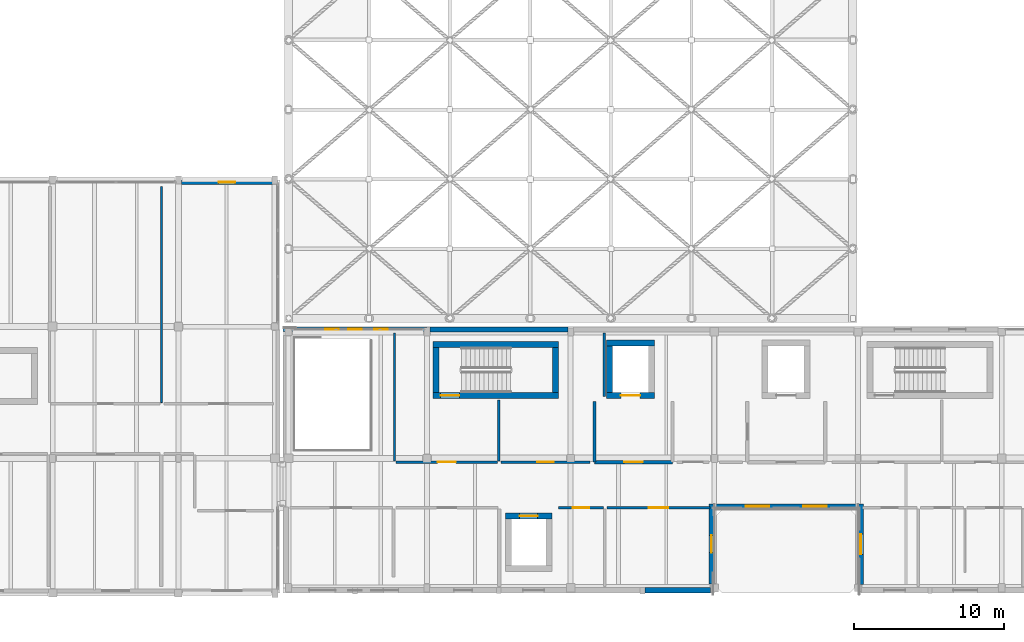
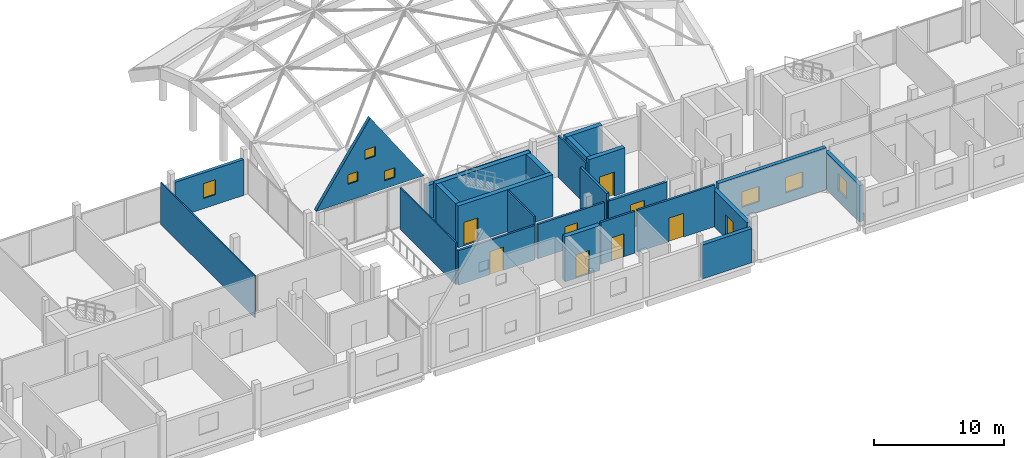
# One storey, part 25 of 41: 25 walls, 9 doors, 7 windows, 16 openings.
"""IFC4 building model written with IfcOpenShell, lengths in metres."""

from ifc_helpers import new_model, si_unit, direction, frame, frame_2d, origin, place, context, subcontext, project, spatial, polyline, rectangle, outline, extrude, material, layer, layer_set, type_object, element, fill, save


model = new_model("IFC4")

# Units and contexts
model_context = context("Model", 3, precision=1e-05, world=origin(), true_north=direction((0.0, 1.0)))
body_context = subcontext(model_context, "Body", "Model", "MODEL_VIEW")
ifc_project = project(units=[si_unit("LENGTHUNIT", "METRE"), si_unit("AREAUNIT", "SQUARE_METRE"), si_unit("VOLUMEUNIT", "CUBIC_METRE"), si_unit("PLANEANGLEUNIT", "RADIAN"), si_unit("MASSUNIT", "GRAM", prefix="KILO")], contexts=[model_context])

# Site, building, storey
site_placement = place(None, origin())
site = spatial("IfcSite", under=ifc_project, at=site_placement, CompositionType="ELEMENT")
building_placement = place(site_placement, origin())
building = spatial("IfcBuilding", under=site, at=building_placement, Name="Birchvale Park Specialist Clinic", CompositionType="ELEMENT")
storey_placement = place(building_placement, frame((0.0, 0.0, 9.60009765625)))
storey = spatial("IfcBuildingStorey", under=building, at=storey_placement, Name="L02", CompositionType="ELEMENT", Elevation=9.60009765625)

# Wall, opening, door
ifc_material_1 = material(Name="Concrete C40/50", Category="concrete")
ifc_layer_1 = layer(ifc_material_1, 0.39990234375)
ifc_layer_set_1 = layer_set([ifc_layer_1], Name="Concrete C40/50")
wall_type_1 = type_object("IfcWallType", Name="WL-CW-120", PredefinedType="SHEAR", material=ifc_layer_set_1)
wall_1_placement = place(storey_placement, frame((61.800048828125, 30.0, 0.0), z_axis=(0.0, 0.0, 1.0), x_axis=(1.0, 0.0, 0.0)))
wall_1 = element("IfcWall", 1, at=wall_1_placement, inside=storey, type_object=wall_type_1, Name="L02 stair ST4 EI 120 enclosure wall (south)", PredefinedType="SHEAR", context=body_context, shape_type="SweptSolid", body=[
    extrude(rectangle(XDim=8.39990234375, YDim=0.39990234375, at=frame_2d((4.199951171875, 0.0))), origin(), (0.0, 0.0, 1.0), 3.919921875),
])
opening_1_placement = place(wall_1_placement, frame((0.52001953125, 0.0, 0.0)))
opening_1 = element("IfcOpeningElement", 2, at=opening_1_placement, cuts=wall_1, Name="Opening ID-FD60", PredefinedType="OPENING", context=body_context, shape_type="SweptSolid", body=[
    extrude(rectangle(XDim=1.25, YDim=2.199951171875, at=frame_2d((0.625, 1.10009765625))), frame((0.0, 0.2099609375, 0.0), z_axis=(0.0, -1.0, 0.0), x_axis=(1.0, 0.0, 0.0)), (0.0, 0.0, 1.0), 0.419921875),
])
ifc_material_2 = material(Name="Solid-core birch veneer and anodised aluminium", Category="aluminium")
door_type_1 = type_object("IfcDoorType", Name="DR-ID-FD60", OperationType="NOTDEFINED", PredefinedType="DOOR", material=ifc_material_2)
door_1_placement = place(opening_1_placement, origin())
door_1 = element("IfcDoor", 3, at=door_1_placement, inside=storey, type_object=door_type_1, Name="L02 stair ST4 fire door", OperationType="SINGLE_SWING_LEFT", OverallHeight=2.199951171875, OverallWidth=1.25, PredefinedType="DOOR", context=body_context, shape_type="SweptSolid", body=[
    extrude(rectangle(XDim=1.25, YDim=2.199951171875, at=frame_2d((0.625, 1.10009765625))), frame((0.0, 0.02490234375, 0.0), z_axis=(0.0, -1.0, 0.0), x_axis=(1.0, 0.0, 0.0)), (0.0, 0.0, 1.0), 0.050048828125),
])
fill(opening_1, door_1)

# Walls
wall_2_placement = place(storey_placement, frame((70.199951171875, 33.39990234375, 0.0), z_axis=(0.0, 0.0, 1.0), x_axis=(-1.0, 0.0, 0.0)))
element("IfcWall", 4, at=wall_2_placement, inside=storey, type_object=wall_type_1, Name="L02 stair ST4 EI 120 enclosure wall (north)", PredefinedType="SHEAR", context=body_context, shape_type="SweptSolid", body=[
    extrude(rectangle(XDim=8.39990234375, YDim=0.39990234375, at=frame_2d((4.199951171875, 0.0))), origin(), (0.0, 0.0, 1.0), 3.919921875),
])
for number, where, z_axis, x_axis, name in (
    (5, (62.0, 30.199951171875, 0.0), (0.0, 0.0, 1.0), (0.0, 1.0, 0.0), "L02 stair ST4 EI 120 enclosure wall (west)"),
    (6, (70.0, 33.199951171875, 0.0), (0.0, 0.0, 1.0), (0.0, -1.0, 0.0), "L02 stair ST4 EI 120 enclosure wall (east)"),
):
    element("IfcWall", number, at=place(storey_placement, frame(where, z_axis=z_axis, x_axis=x_axis)), inside=storey, type_object=wall_type_1, Name=name, PredefinedType="SHEAR", context=body_context, shape_type="SweptSolid", body=[
        extrude(rectangle(XDim=3.0, YDim=0.39990234375, at=frame_2d((1.5, 0.0))), origin(), (0.0, 0.0, 1.0), 3.919921875),
    ])

# Wall, opening, door
wall_3_placement = place(storey_placement, frame((73.39990234375, 30.0, 0.0), z_axis=(0.0, 0.0, 1.0), x_axis=(1.0, 0.0, 0.0)))
wall_3 = element("IfcWall", 7, at=wall_3_placement, inside=storey, type_object=wall_type_1, Name="L02 lift LF1 shaft wall (south)", PredefinedType="SHEAR", context=body_context, shape_type="SweptSolid", body=[
    extrude(rectangle(XDim=3.2001953125, YDim=0.39990234375, at=frame_2d((1.60009765625, 0.0))), origin(), (0.0, 0.0, 1.0), 4.199951171875),
])
opening_2_placement = place(wall_3_placement, frame((0.949951171875, 0.0, 0.0)))
opening_2 = element("IfcOpeningElement", 8, at=opening_2_placement, cuts=wall_3, Name="Opening LD-02", PredefinedType="OPENING", context=body_context, shape_type="SweptSolid", body=[
    extrude(rectangle(XDim=1.300048828125, YDim=2.25, at=frame_2d((0.64990234375, 1.125))), frame((0.0, 0.2099609375, 0.0), z_axis=(0.0, -1.0, 0.0), x_axis=(1.0, 0.0, 0.0)), (0.0, 0.0, 1.0), 0.419921875),
])
door_type_2 = type_object("IfcDoorType", Name="DR-LD-02", OperationType="DOUBLE_DOOR_SLIDING", PredefinedType="DOOR", material=ifc_material_2)
door_2_placement = place(opening_2_placement, origin())
door_2 = element("IfcDoor", 9, at=door_2_placement, inside=storey, type_object=door_type_2, Name="L02 lift LF1 sliding landing door", OperationType="DOUBLE_DOOR_SLIDING", OverallHeight=2.25, OverallWidth=1.300048828125, PredefinedType="DOOR", context=body_context, shape_type="SweptSolid", body=[
    extrude(rectangle(XDim=1.300048828125, YDim=2.25, at=frame_2d((0.64990234375, 1.125))), frame((0.0, 0.02490234375, 0.0), z_axis=(0.0, -1.0, 0.0), x_axis=(1.0, 0.0, 0.0)), (0.0, 0.0, 1.0), 0.050048828125),
])
fill(opening_2, door_2)

# Walls
wall_4_placement = place(storey_placement, frame((76.60009765625, 33.5, 0.0), z_axis=(0.0, 0.0, 1.0), x_axis=(-1.0, 0.0, 0.0)))
element("IfcWall", 10, at=wall_4_placement, inside=storey, type_object=wall_type_1, Name="L02 lift LF1 shaft wall (north)", PredefinedType="SHEAR", context=body_context, shape_type="SweptSolid", body=[
    extrude(rectangle(XDim=3.2001953125, YDim=0.39990234375, at=frame_2d((1.60009765625, 0.0))), origin(), (0.0, 0.0, 1.0), 4.199951171875),
])
wall_5_placement = place(storey_placement, frame((73.60009765625, 30.199951171875, 0.0), z_axis=(0.0, 0.0, 1.0), x_axis=(0.0, 1.0, 0.0)))
element("IfcWall", 11, at=wall_5_placement, inside=storey, type_object=wall_type_1, Name="L02 lift LF1 shaft wall (west)", PredefinedType="SHEAR", context=body_context, shape_type="SweptSolid", body=[
    extrude(rectangle(XDim=3.10009765625, YDim=0.39990234375, at=frame_2d((1.550048828125, 0.0))), origin(), (0.0, 0.0, 1.0), 4.199951171875),
])

# Wall, opening, door
wall_6_placement = place(storey_placement, frame((69.75, 21.949951171875, 0.0), z_axis=(0.0, 0.0, 1.0), x_axis=(-1.0, 0.0, 0.0)))
wall_6 = element("IfcWall", 12, at=wall_6_placement, inside=storey, type_object=wall_type_1, Name="L02 lift LP1 shaft wall (north)", PredefinedType="SHEAR", context=body_context, shape_type="SweptSolid", body=[
    extrude(rectangle(XDim=3.10009765625, YDim=0.39990234375, at=frame_2d((1.550048828125, 0.0))), origin(), (0.0, 0.0, 1.0), 4.199951171875),
])
opening_3_placement = place(wall_6_placement, frame((0.949951171875, 0.0, 0.0)))
opening_3 = element("IfcOpeningElement", 13, at=opening_3_placement, cuts=wall_6, Name="Opening LD-01", PredefinedType="OPENING", context=body_context, shape_type="SweptSolid", body=[
    extrude(rectangle(XDim=1.199951171875, YDim=2.199951171875, at=frame_2d((0.60009765625, 1.10009765625))), frame((0.0, 0.2099609375, 0.0), z_axis=(0.0, -1.0, 0.0), x_axis=(1.0, 0.0, 0.0)), (0.0, 0.0, 1.0), 0.419921875),
])
door_type_3 = type_object("IfcDoorType", Name="DR-LD-01", OperationType="DOUBLE_DOOR_SLIDING", PredefinedType="DOOR", material=ifc_material_2)
door_3_placement = place(opening_3_placement, origin())
door_3 = element("IfcDoor", 14, at=door_3_placement, inside=storey, type_object=door_type_3, Name="L02 lift LP1 sliding landing door", OperationType="DOUBLE_DOOR_SLIDING", OverallHeight=2.199951171875, OverallWidth=1.199951171875, PredefinedType="DOOR", context=body_context, shape_type="SweptSolid", body=[
    extrude(rectangle(XDim=1.199951171875, YDim=2.199951171875, at=frame_2d((0.60009765625, 1.10009765625))), frame((0.0, 0.02490234375, 0.0), z_axis=(0.0, -1.0, 0.0), x_axis=(1.0, 0.0, 0.0)), (0.0, 0.0, 1.0), 0.050048828125),
])
fill(opening_3, door_3)

# Wall
ifc_material_3 = material(Name="Lime-white mineral-rendered insulated masonry", Category="masonry")
ifc_layer_2 = layer(ifc_material_3, 0.340087890625)
ifc_layer_set_2 = layer_set([ifc_layer_2], Name="Lime-white mineral-rendered insulated masonry")
wall_type_2 = type_object("IfcWallType", Name="WL-EW-01", PredefinedType="STANDARD", material=ifc_layer_set_2)
wall_7_placement = place(storey_placement, frame((75.955078125, 16.989990234375, 0.0), z_axis=(0.0, 0.0, 1.0), x_axis=(1.0, 0.0, 0.0)))
element("IfcWall", 15, at=wall_7_placement, inside=storey, type_object=wall_type_2, Name="V4 L02 exterior facade wall 194", PredefinedType="STANDARD", context=body_context, shape_type="SweptSolid", body=[
    extrude(rectangle(XDim=4.385009765625, YDim=0.340087890625, at=frame_2d((2.1923828125, 0.0))), origin(), (0.0, 0.0, 1.0), 3.184814453125),
])

# Wall, opening, door
wall_8_placement = place(storey_placement, frame((80.409912109375, 17.409912109375, 0.0), z_axis=(0.0, 0.0, 1.0), x_axis=(0.0, 1.0, 0.0)))
wall_8 = element("IfcWall", 16, at=wall_8_placement, inside=storey, type_object=wall_type_2, Name="V4 L02 exterior facade wall 195", PredefinedType="STANDARD", context=body_context, shape_type="SweptSolid", body=[
    extrude(rectangle(XDim=5.330078125, YDim=0.340087890625, at=frame_2d((2.6650390625, 0.0))), origin(), (0.0, 0.0, 1.0), 3.40478515625),
])
opening_4_placement = place(wall_8_placement, frame((2.090087890625, 0.0, 0.0)))
opening_4 = element("IfcOpeningElement", 17, at=opening_4_placement, cuts=wall_8, Name="Opening ED-05", PredefinedType="OPENING", context=body_context, shape_type="SweptSolid", body=[
    extrude(rectangle(XDim=1.14990234375, YDim=2.199951171875, at=frame_2d((0.574951171875, 1.10009765625))), frame((0.0, 0.18017578125, 0.0), z_axis=(0.0, -1.0, 0.0), x_axis=(1.0, 0.0, 0.0)), (0.0, 0.0, 1.0), 0.360107421875),
])
ifc_material_4 = material(Name="Powder-coated aluminium and laminated safety glass", Category="aluminium")
door_type_4 = type_object("IfcDoorType", Name="DR-ED-05", OperationType="NOTDEFINED", PredefinedType="DOOR", material=ifc_material_4)
door_4_placement = place(opening_4_placement, frame((1.14990234375, 0.0, 0.0), z_axis=(0.0, 0.0, 1.0), x_axis=(-1.0, 0.0, 0.0)))
door_4 = element("IfcDoor", 18, at=door_4_placement, inside=storey, type_object=door_type_4, Name="V4 L02 accessible roof terrace door 34", OperationType="SINGLE_SWING_LEFT", OverallHeight=2.199951171875, OverallWidth=1.14990234375, PredefinedType="DOOR", context=body_context, shape_type="SweptSolid", body=[
    extrude(rectangle(XDim=1.14990234375, YDim=2.199951171875, at=frame_2d((0.574951171875, 1.10009765625))), frame((0.0, 0.02490234375, 0.0), z_axis=(0.0, -1.0, 0.0), x_axis=(1.0, 0.0, 0.0)), (0.0, 0.0, 1.0), 0.050048828125),
])
fill(opening_4, door_4)

# Wall, openings, windows
wall_9_placement = place(storey_placement, frame((80.60009765625, 22.590087890625, 0.0), z_axis=(0.0, 0.0, 1.0), x_axis=(1.0, 0.0, 0.0)))
wall_9 = element("IfcWall", 19, at=wall_9_placement, inside=storey, type_object=wall_type_2, Name="V4 L02 exterior facade wall 196", PredefinedType="STANDARD", context=body_context, shape_type="SweptSolid", body=[
    extrude(rectangle(XDim=9.599853515625, YDim=0.340087890625, at=frame_2d((4.7998046875, 0.0))), origin(), (0.0, 0.0, 1.0), 3.919921875),
])
opening_5_placement = place(wall_9_placement, frame((2.10498046875, 0.0, 0.949951171875)))
opening_5 = element("IfcOpeningElement", 20, at=opening_5_placement, cuts=wall_9, Name="Opening W-CL15", PredefinedType="OPENING", context=body_context, shape_type="SweptSolid", body=[
    extrude(rectangle(XDim=1.550048828125, YDim=1.449951171875, at=frame_2d((0.77490234375, 0.72509765625))), frame((0.0, 0.18017578125, 0.0), z_axis=(0.0, -1.0, 0.0), x_axis=(1.0, 0.0, 0.0)), (0.0, 0.0, 1.0), 0.360107421875),
])
opening_6_placement = place(wall_9_placement, frame((5.945068359375, 0.0, 0.949951171875)))
opening_6 = element("IfcOpeningElement", 21, at=opening_6_placement, cuts=wall_9, Name="Opening W-CL15", PredefinedType="OPENING", context=body_context, shape_type="SweptSolid", body=[
    extrude(rectangle(XDim=1.550048828125, YDim=1.449951171875, at=frame_2d((0.77490234375, 0.72509765625))), frame((0.0, 0.18017578125, 0.0), z_axis=(0.0, -1.0, 0.0), x_axis=(1.0, 0.0, 0.0)), (0.0, 0.0, 1.0), 0.360107421875),
])
ifc_material_5 = material(Name="Solar-control low-E double glazing", Category="glass")
window_type_1 = type_object("IfcWindowType", Name="WIN-W-CL15", PartitioningType="SINGLE_PANEL", PredefinedType="WINDOW", material=ifc_material_5)
window_1_placement = place(opening_5_placement, origin())
window_1 = element("IfcWindow", 22, at=window_1_placement, inside=storey, type_object=window_type_1, Name="V4 L02 cased window 68", OverallHeight=1.449951171875, OverallWidth=1.550048828125, PartitioningType="SINGLE_PANEL", PredefinedType="WINDOW", context=body_context, shape_type="SweptSolid", body=[
    extrude(rectangle(XDim=1.550048828125, YDim=1.449951171875, at=frame_2d((0.77490234375, 0.72509765625))), frame((0.0, 0.030029296875, 0.0), z_axis=(0.0, -1.0, 0.0), x_axis=(1.0, 0.0, 0.0)), (0.0, 0.0, 1.0), 0.06005859375),
])
fill(opening_5, window_1)
window_2_placement = place(opening_6_placement, origin())
window_2 = element("IfcWindow", 23, at=window_2_placement, inside=storey, type_object=window_type_1, Name="V4 L02 cased window 69", OverallHeight=1.449951171875, OverallWidth=1.550048828125, PartitioningType="SINGLE_PANEL", PredefinedType="WINDOW", context=body_context, shape_type="SweptSolid", body=[
    extrude(rectangle(XDim=1.550048828125, YDim=1.449951171875, at=frame_2d((0.77490234375, 0.72509765625))), frame((0.0, 0.030029296875, 0.0), z_axis=(0.0, -1.0, 0.0), x_axis=(1.0, 0.0, 0.0)), (0.0, 0.0, 1.0), 0.06005859375),
])
fill(opening_6, window_2)

# Wall, opening, window
wall_10_placement = place(storey_placement, frame((90.389892578125, 22.739990234375, 0.0), z_axis=(0.0, 0.0, 1.0), x_axis=(0.0, -1.0, 0.0)))
wall_10 = element("IfcWall", 24, at=wall_10_placement, inside=storey, type_object=wall_type_2, Name="V4 L02 exterior facade wall 197", PredefinedType="STANDARD", context=body_context, shape_type="SweptSolid", body=[
    extrude(rectangle(XDim=5.35498046875, YDim=0.340087890625, at=frame_2d((2.677490234375, 0.0))), origin(), (0.0, 0.0, 1.0), 3.40478515625),
])
opening_7_placement = place(wall_10_placement, frame((2.00244140625, 0.0, 0.949951171875)))
opening_7 = element("IfcOpeningElement", 25, at=opening_7_placement, cuts=wall_10, Name="Opening W-CL02", PredefinedType="OPENING", context=body_context, shape_type="SweptSolid", body=[
    extrude(rectangle(XDim=1.35009765625, YDim=1.60009765625, at=frame_2d((0.675048828125, 0.800048828125))), frame((0.0, 0.18017578125, 0.0), z_axis=(0.0, -1.0, 0.0), x_axis=(1.0, 0.0, 0.0)), (0.0, 0.0, 1.0), 0.360107421875),
])
window_type_2 = type_object("IfcWindowType", Name="WIN-W-CL02", PartitioningType="SINGLE_PANEL", PredefinedType="WINDOW", material=ifc_material_5)
window_3_placement = place(opening_7_placement, origin())
window_3 = element("IfcWindow", 26, at=window_3_placement, inside=storey, type_object=window_type_2, Name="V4 L02 cased window 70", OverallHeight=1.60009765625, OverallWidth=1.35009765625, PartitioningType="SINGLE_PANEL", PredefinedType="WINDOW", context=body_context, shape_type="SweptSolid", body=[
    extrude(rectangle(XDim=1.35009765625, YDim=1.60009765625, at=frame_2d((0.675048828125, 0.800048828125))), frame((0.0, 0.030029296875, 0.0), z_axis=(0.0, -1.0, 0.0), x_axis=(1.0, 0.0, 0.0)), (0.0, 0.0, 1.0), 0.06005859375),
])
fill(opening_7, window_3)

# Wall
wall_11_placement = place(storey_placement, frame((70.820068359375, 34.409912109375, 0.0), z_axis=(0.0, 0.0, 1.0), x_axis=(-1.0, 0.0, 0.0)))
element("IfcWall", 27, at=wall_11_placement, inside=storey, type_object=wall_type_2, Name="V4 L02 exterior facade wall 209", PredefinedType="STANDARD", context=body_context, shape_type="SweptSolid", body=[
    extrude(rectangle(XDim=9.215087890625, YDim=0.340087890625, at=frame_2d((4.607421875, 0.0))), origin(), (0.0, 0.0, 1.0), 3.184814453125),
])

# Wall, openings, windows
ifc_layer_3 = layer(ifc_material_3, 0.31005859375)
ifc_layer_set_3 = layer_set([ifc_layer_3], Name="Lime-white mineral-rendered insulated masonry")
wall_type_3 = type_object("IfcWallType", Name="WL-EW-02", PredefinedType="STANDARD", material=ifc_layer_set_3)
wall_12_placement = place(storey_placement, frame((61.39990234375, 34.425048828125, 4.199951171875), z_axis=(0.0, 0.0, 1.0), x_axis=(-1.0, 0.0, 0.0)))
wall_12 = element("IfcWall", 28, at=wall_12_placement, inside=storey, type_object=wall_type_3, Name="L03 white house-gable end wall Bay 1 N", PredefinedType="STANDARD", context=body_context, shape_type="SweptSolid", body=[
    extrude(outline(polyline([(0.0, 0.0), (9.599853515625, 0.0), (9.60009765625, 0.0), (4.800048828125, 7.08984375), (0.0, 0.0), (0.0, 0.0)])), frame((0.0, 0.155029296875, 0.0), z_axis=(0.0, -1.0, 0.0), x_axis=(1.0, 0.0, 0.0)), (0.0, 0.0, 1.0), 0.31005859375),
])
opening_8_placement = place(wall_12_placement, frame((2.6220703125, 0.0, 0.75)))
opening_8 = element("IfcOpeningElement", 29, at=opening_8_placement, cuts=wall_12, Name="Opening W-SQ09", PredefinedType="OPENING", context=body_context, shape_type="SweptSolid", body=[
    extrude(rectangle(XDim=0.89990234375, YDim=0.89990234375, at=frame_2d((0.449951171875, 0.449951171875))), frame((0.0, 0.1650390625, 0.0), z_axis=(0.0, -1.0, 0.0), x_axis=(1.0, 0.0, 0.0)), (0.0, 0.0, 1.0), 0.330078125),
])
opening_9_placement = place(wall_12_placement, frame((5.885986328125, 0.0, 1.550048828125)))
opening_9 = element("IfcOpeningElement", 30, at=opening_9_placement, cuts=wall_12, Name="Opening W-SQ09", PredefinedType="OPENING", context=body_context, shape_type="SweptSolid", body=[
    extrude(rectangle(XDim=0.89990234375, YDim=0.89990234375, at=frame_2d((0.449951171875, 0.449951171875))), frame((0.0, 0.1650390625, 0.0), z_axis=(0.0, -1.0, 0.0), x_axis=(1.0, 0.0, 0.0)), (0.0, 0.0, 1.0), 0.330078125),
])
opening_10_placement = place(wall_12_placement, frame((4.35009765625, 0.0, 3.35009765625)))
opening_10 = element("IfcOpeningElement", 31, at=opening_10_placement, cuts=wall_12, Name="Opening W-SQ09", PredefinedType="OPENING", context=body_context, shape_type="SweptSolid", body=[
    extrude(rectangle(XDim=0.89990234375, YDim=0.89990234375, at=frame_2d((0.449951171875, 0.449951171875))), frame((0.0, 0.1650390625, 0.0), z_axis=(0.0, -1.0, 0.0), x_axis=(1.0, 0.0, 0.0)), (0.0, 0.0, 1.0), 0.330078125),
])
window_type_3 = type_object("IfcWindowType", Name="WIN-W-SQ09", PartitioningType="SINGLE_PANEL", PredefinedType="WINDOW", material=ifc_material_5)
window_4_placement = place(opening_8_placement, origin())
window_4 = element("IfcWindow", 32, at=window_4_placement, inside=storey, type_object=window_type_3, Name="L03 gable square window Bay 1 N.1", OverallHeight=0.89990234375, OverallWidth=0.89990234375, PartitioningType="SINGLE_PANEL", PredefinedType="WINDOW", context=body_context, shape_type="SweptSolid", body=[
    extrude(rectangle(XDim=0.89990234375, YDim=0.89990234375, at=frame_2d((0.449951171875, 0.449951171875))), frame((0.0, 0.030029296875, 0.0), z_axis=(0.0, -1.0, 0.0), x_axis=(1.0, 0.0, 0.0)), (0.0, 0.0, 1.0), 0.06005859375),
])
fill(opening_8, window_4)
window_5_placement = place(opening_9_placement, origin())
window_5 = element("IfcWindow", 33, at=window_5_placement, inside=storey, type_object=window_type_3, Name="L03 gable square window Bay 1 N.2", OverallHeight=0.89990234375, OverallWidth=0.89990234375, PartitioningType="SINGLE_PANEL", PredefinedType="WINDOW", context=body_context, shape_type="SweptSolid", body=[
    extrude(rectangle(XDim=0.89990234375, YDim=0.89990234375, at=frame_2d((0.449951171875, 0.449951171875))), frame((0.0, 0.030029296875, 0.0), z_axis=(0.0, -1.0, 0.0), x_axis=(1.0, 0.0, 0.0)), (0.0, 0.0, 1.0), 0.06005859375),
])
fill(opening_9, window_5)
window_6_placement = place(opening_10_placement, origin())
window_6 = element("IfcWindow", 34, at=window_6_placement, inside=storey, type_object=window_type_3, Name="L03 gable square window Bay 1 N.3", OverallHeight=0.89990234375, OverallWidth=0.89990234375, PartitioningType="SINGLE_PANEL", PredefinedType="WINDOW", context=body_context, shape_type="SweptSolid", body=[
    extrude(rectangle(XDim=0.89990234375, YDim=0.89990234375, at=frame_2d((0.449951171875, 0.449951171875))), frame((0.0, 0.030029296875, 0.0), z_axis=(0.0, -1.0, 0.0), x_axis=(1.0, 0.0, 0.0)), (0.0, 0.0, 1.0), 0.06005859375),
])
fill(opening_10, window_6)

# Wall, opening, window
ifc_layer_4 = layer(ifc_material_3, 0.27001953125)
ifc_layer_set_4 = layer_set([ifc_layer_4], Name="Lime-white mineral-rendered insulated masonry")
wall_type_4 = type_object("IfcWallType", Name="WL-EW-04", PredefinedType="STANDARD", material=ifc_layer_set_4)
wall_13_placement = place(storey_placement, frame((51.070068359375, 44.2451171875, 0.0), z_axis=(0.0, 0.0, 1.0), x_axis=(-1.0, 0.0, 0.0)))
wall_13 = element("IfcWall", 35, at=wall_13_placement, inside=storey, type_object=wall_type_4, Name="V2 L02 exterior facade wall 185", PredefinedType="STANDARD", context=body_context, shape_type="SweptSolid", body=[
    extrude(rectangle(XDim=6.074951171875, YDim=0.27001953125, at=frame_2d((3.03759765625, 0.0))), origin(), (0.0, 0.0, 1.0), 3.35986328125),
])
opening_11_placement = place(wall_13_placement, frame((2.487548828125, 0.0, 0.949951171875)))
opening_11 = element("IfcOpeningElement", 36, at=opening_11_placement, cuts=wall_13, Name="Opening W-CL11", PredefinedType="OPENING", context=body_context, shape_type="SweptSolid", body=[
    extrude(rectangle(XDim=1.10009765625, YDim=1.39990234375, at=frame_2d((0.550048828125, 0.699951171875))), frame((0.0, 0.14501953125, 0.0), z_axis=(0.0, -1.0, 0.0), x_axis=(1.0, 0.0, 0.0)), (0.0, 0.0, 1.0), 0.2900390625),
])
window_type_4 = type_object("IfcWindowType", Name="WIN-W-CL11", PartitioningType="SINGLE_PANEL", PredefinedType="WINDOW", material=ifc_material_5)
window_7_placement = place(opening_11_placement, origin())
window_7 = element("IfcWindow", 37, at=window_7_placement, inside=storey, type_object=window_type_4, Name="V2 L02 cased window 63", OverallHeight=1.39990234375, OverallWidth=1.10009765625, PartitioningType="SINGLE_PANEL", PredefinedType="WINDOW", context=body_context, shape_type="SweptSolid", body=[
    extrude(rectangle(XDim=1.10009765625, YDim=1.39990234375, at=frame_2d((0.550048828125, 0.699951171875))), frame((0.0, 0.030029296875, 0.0), z_axis=(0.0, -1.0, 0.0), x_axis=(1.0, 0.0, 0.0)), (0.0, 0.0, 1.0), 0.06005859375),
])
fill(opening_11, window_7)

# Walls
ifc_material_6 = material(Name="Acoustic gypsum board on metal framing")
ifc_layer_5 = layer(ifc_material_6, 0.14990234375)
ifc_layer_set_5 = layer_set([ifc_layer_5], Name="Acoustic gypsum board on metal framing")
wall_type_5 = type_object("IfcWallType", Name="WL-IW-02", PredefinedType="PARTITIONING", material=ifc_layer_set_5)
wall_14_placement = place(storey_placement, frame((73.239990234375, 34.159912109375, 0.0), z_axis=(0.0, 0.0, 1.0), x_axis=(0.0, -1.0, 0.0)))
element("IfcWall", 38, at=wall_14_placement, inside=storey, type_object=wall_type_5, Name="V4 L02 clinical partition 452", PredefinedType="PARTITIONING", context=body_context, shape_type="SweptSolid", body=[
    extrude(rectangle(XDim=4.239990234375, YDim=0.14990234375, at=frame_2d((2.1201171875, 0.0))), origin(), (0.0, 0.0, 1.0), 3.919921875),
])
ifc_layer_6 = layer(ifc_material_6, 0.139892578125)
ifc_layer_set_6 = layer_set([ifc_layer_6], Name="Acoustic gypsum board on metal framing")
wall_type_6 = type_object("IfcWallType", Name="WL-IW-03", PredefinedType="PARTITIONING", material=ifc_layer_set_6)
wall_15_placement = place(storey_placement, frame((66.199951171875, 29.699951171875, 0.0), z_axis=(0.0, 0.0, 1.0), x_axis=(0.0, -1.0, 0.0)))
element("IfcWall", 39, at=wall_15_placement, inside=storey, type_object=wall_type_6, Name="V4 L02 clinical partition 448", PredefinedType="PARTITIONING", context=body_context, shape_type="SweptSolid", body=[
    extrude(rectangle(XDim=4.070068359375, YDim=0.139892578125, at=frame_2d((2.03515625, 0.0))), origin(), (0.0, 0.0, 1.0), 3.919921875),
])
ifc_layer_7 = layer(ifc_material_6, 0.114990234375)
ifc_layer_set_7 = layer_set([ifc_layer_7], Name="Acoustic gypsum board on metal framing")
wall_type_7 = type_object("IfcWallType", Name="WL-IW-05", PredefinedType="PARTITIONING", material=ifc_layer_set_7)
wall_16_placement = place(storey_placement, frame((43.6650390625, 43.9599609375, 0.0), z_axis=(0.0, 0.0, 1.0), x_axis=(0.0, -1.0, 0.0)))
element("IfcWall", 40, at=wall_16_placement, inside=storey, type_object=wall_type_7, Name="V2 L02 clinical partition 426", PredefinedType="PARTITIONING", context=body_context, shape_type="SweptSolid", body=[
    extrude(rectangle(XDim=14.429931640625, YDim=0.114990234375, at=frame_2d((7.21484375, 0.0))), origin(), (0.0, 0.0, 1.0), 3.919921875),
])
wall_17_placement = place(storey_placement, frame((59.239990234375, 25.6298828125, 0.0), z_axis=(0.0, 0.0, 1.0), x_axis=(0.0, 1.0, 0.0)))
element("IfcWall", 41, at=wall_17_placement, inside=storey, type_object=wall_type_7, Name="V4 L02 clinical partition 450", PredefinedType="PARTITIONING", context=body_context, shape_type="SweptSolid", body=[
    extrude(rectangle(XDim=8.530029296875, YDim=0.114990234375, at=frame_2d((4.26513671875, 0.0))), origin(), (0.0, 0.0, 1.0), 3.919921875),
])
ifc_layer_8 = layer(ifc_material_6, 0.219970703125)
ifc_layer_set_8 = layer_set([ifc_layer_8], Name="Acoustic gypsum board on metal framing")
wall_type_8 = type_object("IfcWallType", Name="WL-IW-120", PredefinedType="PARTITIONING", material=ifc_layer_set_8)
wall_18_placement = place(storey_placement, frame((72.60009765625, 29.60009765625, 0.0), z_axis=(0.0, 0.0, 1.0), x_axis=(0.0, -1.0, 0.0)))
element("IfcWall", 42, at=wall_18_placement, inside=storey, type_object=wall_type_8, Name="L02 firefighting lift lobby K4 EI 120 wall (west)", PredefinedType="PARTITIONING", context=body_context, shape_type="SweptSolid", body=[
    extrude(rectangle(XDim=4.050048828125, YDim=0.219970703125, at=frame_2d((2.02490234375, 0.0))), origin(), (0.0, 0.0, 1.0), 3.919921875),
])

# Wall, opening, door
wall_19_placement = place(storey_placement, frame((72.60009765625, 25.550048828125, 0.0), z_axis=(0.0, 0.0, 1.0), x_axis=(1.0, 0.0, 0.0)))
wall_19 = element("IfcWall", 43, at=wall_19_placement, inside=storey, type_object=wall_type_8, Name="L02 firefighting lift lobby K4 EI 120 wall (south)", PredefinedType="PARTITIONING", context=body_context, shape_type="SweptSolid", body=[
    extrude(rectangle(XDim=5.199951171875, YDim=0.219970703125, at=frame_2d((2.60009765625, 0.0))), origin(), (0.0, 0.0, 1.0), 3.224853515625),
])
opening_12_placement = place(wall_19_placement, frame((1.97509765625, 0.0, 0.0)))
opening_12 = element("IfcOpeningElement", 44, at=opening_12_placement, cuts=wall_19, Name="Opening ID-FD60", PredefinedType="OPENING", context=body_context, shape_type="SweptSolid", body=[
    extrude(rectangle(XDim=1.25, YDim=2.199951171875, at=frame_2d((0.625, 1.10009765625))), frame((0.0, 0.1201171875, 0.0), z_axis=(0.0, -1.0, 0.0), x_axis=(1.0, 0.0, 0.0)), (0.0, 0.0, 1.0), 0.239990234375),
])
door_5_placement = place(opening_12_placement, origin())
door_5 = element("IfcDoor", 45, at=door_5_placement, inside=storey, type_object=door_type_1, Name="L02 firefighting lobby K4 fire door", OperationType="SINGLE_SWING_LEFT", OverallHeight=2.199951171875, OverallWidth=1.25, PredefinedType="DOOR", context=body_context, shape_type="SweptSolid", body=[
    extrude(rectangle(XDim=1.25, YDim=2.199951171875, at=frame_2d((0.625, 1.10009765625))), frame((0.0, 0.02490234375, 0.0), z_axis=(0.0, -1.0, 0.0), x_axis=(1.0, 0.0, 0.0)), (0.0, 0.0, 1.0), 0.050048828125),
])
fill(opening_12, door_5)

ifc_layer_9 = layer(ifc_material_6, 0.179931640625)
ifc_layer_set_9 = layer_set([ifc_layer_9], Name="Acoustic gypsum board on metal framing")
wall_type_9 = type_object("IfcWallType", Name="WL-IW-60", PredefinedType="PARTITIONING", material=ifc_layer_set_9)
wall_20_placement = place(storey_placement, frame((70.179931640625, 22.5, 0.0), z_axis=(0.0, 0.0, 1.0), x_axis=(1.0, 0.0, 0.0)))
wall_20 = element("IfcWall", 46, at=wall_20_placement, inside=storey, type_object=wall_type_9, Name="V4 L02 clinical partition 434", PredefinedType="PARTITIONING", context=body_context, shape_type="SweptSolid", body=[
    extrude(rectangle(XDim=3.025146484375, YDim=0.179931640625, at=frame_2d((1.5126953125, 0.0))), origin(), (0.0, 0.0, 1.0), 3.919921875),
])
opening_13_placement = place(wall_20_placement, frame((0.952392578125, 0.0, 0.0)))
opening_13 = element("IfcOpeningElement", 47, at=opening_13_placement, cuts=wall_20, Name="Opening ID-11", PredefinedType="OPENING", context=body_context, shape_type="SweptSolid", body=[
    extrude(rectangle(XDim=1.1201171875, YDim=2.159912109375, at=frame_2d((0.56005859375, 1.080078125))), frame((0.0, 0.10009765625, 0.0), z_axis=(0.0, -1.0, 0.0), x_axis=(1.0, 0.0, 0.0)), (0.0, 0.0, 1.0), 0.199951171875),
])
door_type_5 = type_object("IfcDoorType", Name="DR-ID-11", OperationType="NOTDEFINED", PredefinedType="DOOR", material=ifc_material_2)
door_6_placement = place(opening_13_placement, origin())
door_6 = element("IfcDoor", 48, at=door_6_placement, inside=storey, type_object=door_type_5, Name="L02 Neurology Outpatient Clinic door", OperationType="SINGLE_SWING_LEFT", OverallHeight=2.159912109375, OverallWidth=1.1201171875, PredefinedType="DOOR", context=body_context, shape_type="SweptSolid", body=[
    extrude(rectangle(XDim=1.1201171875, YDim=2.159912109375, at=frame_2d((0.56005859375, 1.080078125))), frame((0.0, 0.02490234375, 0.0), z_axis=(0.0, -1.0, 0.0), x_axis=(1.0, 0.0, 0.0)), (0.0, 0.0, 1.0), 0.050048828125),
])
fill(opening_13, door_6)

wall_21_placement = place(storey_placement, frame((73.445068359375, 22.5, 0.0), z_axis=(0.0, 0.0, 1.0), x_axis=(1.0, 0.0, 0.0)))
wall_21 = element("IfcWall", 49, at=wall_21_placement, inside=storey, type_object=wall_type_9, Name="V4 L02 clinical partition 436", PredefinedType="PARTITIONING", context=body_context, shape_type="SweptSolid", body=[
    extrude(rectangle(XDim=6.85498046875, YDim=0.179931640625, at=frame_2d((3.427490234375, 0.0))), origin(), (0.0, 0.0, 1.0), 3.919921875),
])
opening_14_placement = place(wall_21_placement, frame((2.767578125, 0.0, 0.0)))
opening_14 = element("IfcOpeningElement", 50, at=opening_14_placement, cuts=wall_21, Name="Opening ID-12", PredefinedType="OPENING", context=body_context, shape_type="SweptSolid", body=[
    extrude(rectangle(XDim=1.320068359375, YDim=2.219970703125, at=frame_2d((0.66015625, 1.10986328125))), frame((0.0, 0.10009765625, 0.0), z_axis=(0.0, -1.0, 0.0), x_axis=(1.0, 0.0, 0.0)), (0.0, 0.0, 1.0), 0.199951171875),
])
door_type_6 = type_object("IfcDoorType", Name="DR-ID-12", OperationType="NOTDEFINED", PredefinedType="DOOR", material=ifc_material_2)
door_7_placement = place(opening_14_placement, origin())
door_7 = element("IfcDoor", 51, at=door_7_placement, inside=storey, type_object=door_type_6, Name="L02 Patient Education Lounge door", OperationType="SINGLE_SWING_RIGHT", OverallHeight=2.219970703125, OverallWidth=1.320068359375, PredefinedType="DOOR", context=body_context, shape_type="SweptSolid", body=[
    extrude(rectangle(XDim=1.320068359375, YDim=2.219970703125, at=frame_2d((0.66015625, 1.10986328125))), frame((0.0, 0.02490234375, 0.0), z_axis=(0.0, -1.0, 0.0), x_axis=(1.0, 0.0, 0.0)), (0.0, 0.0, 1.0), 0.050048828125),
])
fill(opening_14, door_7)

wall_22_placement = place(storey_placement, frame((66.1201171875, 25.550048828125, 0.0), z_axis=(0.0, 0.0, 1.0), x_axis=(-1.0, 0.0, 0.0)))
wall_22 = element("IfcWall", 52, at=wall_22_placement, inside=storey, type_object=wall_type_9, Name="V4 L02 clinical partition 449", PredefinedType="PARTITIONING", context=body_context, shape_type="SweptSolid", body=[
    extrude(rectangle(XDim=6.800048828125, YDim=0.179931640625, at=frame_2d((3.39990234375, 0.0))), origin(), (0.0, 0.0, 1.0), 3.224853515625),
])
opening_15_placement = place(wall_22_placement, frame((2.7900390625, 0.0, 0.0)))
opening_15 = element("IfcOpeningElement", 53, at=opening_15_placement, cuts=wall_22, Name="Opening ID-10", PredefinedType="OPENING", context=body_context, shape_type="SweptSolid", body=[
    extrude(rectangle(XDim=1.219970703125, YDim=2.179931640625, at=frame_2d((0.60986328125, 1.08984375))), frame((0.0, 0.10009765625, 0.0), z_axis=(0.0, -1.0, 0.0), x_axis=(1.0, 0.0, 0.0)), (0.0, 0.0, 1.0), 0.199951171875),
])
door_type_7 = type_object("IfcDoorType", Name="DR-ID-10", OperationType="NOTDEFINED", PredefinedType="DOOR", material=ifc_material_2)
door_8_placement = place(opening_15_placement, origin())
door_8 = element("IfcDoor", 54, at=door_8_placement, inside=storey, type_object=door_type_7, Name="L02 Cardiology Examination Clinic door", OperationType="SINGLE_SWING_LEFT", OverallHeight=2.179931640625, OverallWidth=1.219970703125, PredefinedType="DOOR", context=body_context, shape_type="SweptSolid", body=[
    extrude(rectangle(XDim=1.219970703125, YDim=2.179931640625, at=frame_2d((0.60986328125, 1.08984375))), frame((0.0, 0.02490234375, 0.0), z_axis=(0.0, -1.0, 0.0), x_axis=(1.0, 0.0, 0.0)), (0.0, 0.0, 1.0), 0.050048828125),
])
fill(opening_15, door_8)

wall_23_placement = place(storey_placement, frame((72.280029296875, 25.550048828125, 0.0), z_axis=(0.0, 0.0, 1.0), x_axis=(-1.0, 0.0, 0.0)))
wall_23 = element("IfcWall", 55, at=wall_23_placement, inside=storey, type_object=wall_type_9, Name="V4 L02 clinical partition 451", PredefinedType="PARTITIONING", context=body_context, shape_type="SweptSolid", body=[
    extrude(rectangle(XDim=5.919921875, YDim=0.179931640625, at=frame_2d((2.9599609375, 0.0))), origin(), (0.0, 0.0, 1.0), 3.224853515625),
])
opening_16_placement = place(wall_23_placement, frame((2.39990234375, 0.0, 0.0)))
opening_16 = element("IfcOpeningElement", 56, at=opening_16_placement, cuts=wall_23, Name="Opening ID-11", PredefinedType="OPENING", context=body_context, shape_type="SweptSolid", body=[
    extrude(rectangle(XDim=1.1201171875, YDim=2.159912109375, at=frame_2d((0.56005859375, 1.080078125))), frame((0.0, 0.10009765625, 0.0), z_axis=(0.0, -1.0, 0.0), x_axis=(1.0, 0.0, 0.0)), (0.0, 0.0, 1.0), 0.199951171875),
])
door_9_placement = place(opening_16_placement, origin())
door_9 = element("IfcDoor", 57, at=door_9_placement, inside=storey, type_object=door_type_5, Name="L02 Pulmonology Diagnostic Clinic door", OperationType="SINGLE_SWING_RIGHT", OverallHeight=2.159912109375, OverallWidth=1.1201171875, PredefinedType="DOOR", context=body_context, shape_type="SweptSolid", body=[
    extrude(rectangle(XDim=1.1201171875, YDim=2.159912109375, at=frame_2d((0.56005859375, 1.080078125))), frame((0.0, 0.02490234375, 0.0), z_axis=(0.0, -1.0, 0.0), x_axis=(1.0, 0.0, 0.0)), (0.0, 0.0, 1.0), 0.050048828125),
])
fill(opening_16, door_9)

save(model, "model.ifc")
